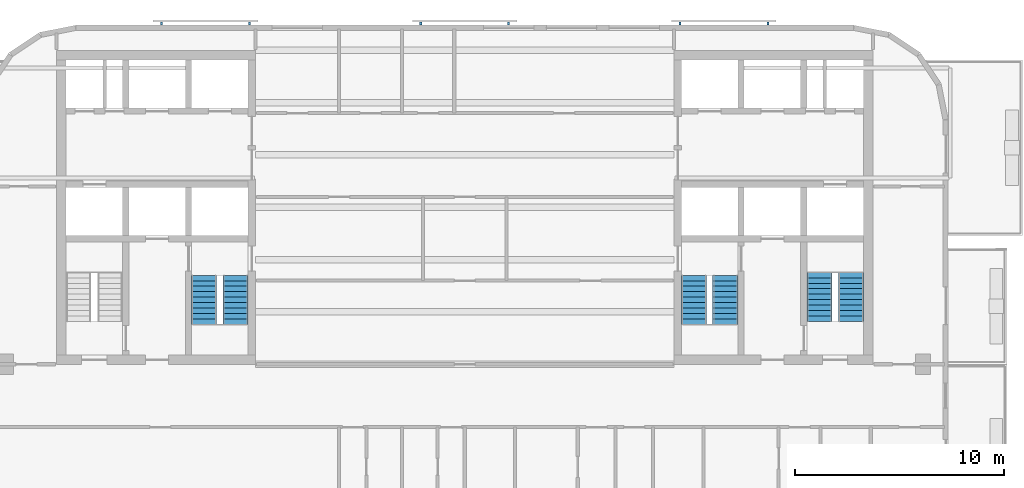
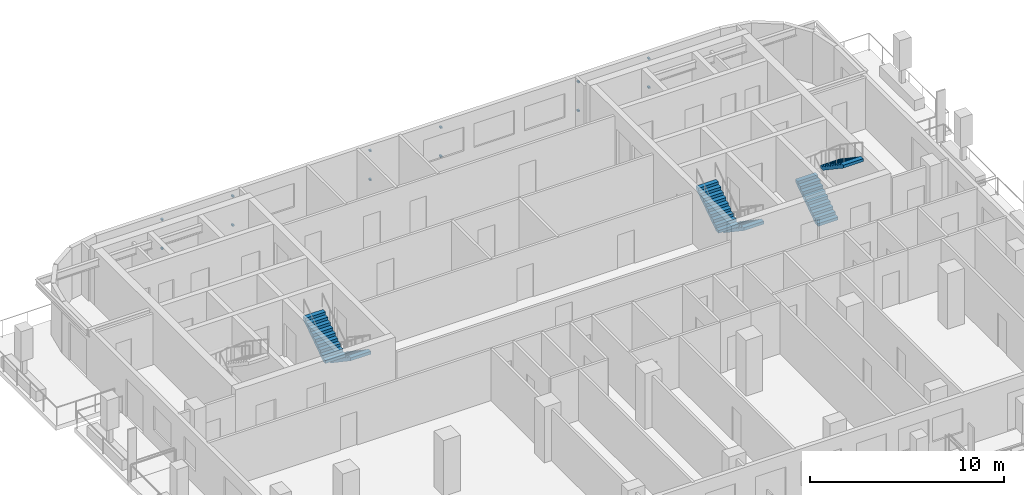
# One storey, part 7 of 10: 12 discrete accessories, 6 stair flights, 3 elements without a shape of their own.
"""IFC4 building model written with IfcOpenShell, lengths in metres."""

from ifc_helpers import new_model, si_unit, direction, frame, origin, origin_2d, place, context, subcontext, project, spatial, polyline, rectangle, outline, extrude, material, type_object, element, aggregate, save


model = new_model("IFC4")

# Units and contexts
model_context = context("Model", 3, precision=1e-05, world=origin(), true_north=direction((0.0, 1.0)))
body_context = subcontext(model_context, "Body", "Model", "MODEL_VIEW")
ifc_project = project(units=[si_unit("LENGTHUNIT", "METRE"), si_unit("AREAUNIT", "SQUARE_METRE"), si_unit("VOLUMEUNIT", "CUBIC_METRE"), si_unit("PLANEANGLEUNIT", "RADIAN"), si_unit("MASSUNIT", "GRAM", prefix="KILO")], contexts=[model_context])

# Site, building, storey
site_placement = place(None, origin())
site = spatial("IfcSite", under=ifc_project, at=site_placement, CompositionType="ELEMENT")
building_placement = place(site_placement, origin())
building = spatial("IfcBuilding", under=site, at=building_placement, Name="Torana Hotel and Residences", CompositionType="ELEMENT")
storey_placement = place(building_placement, frame((0.0, 0.0, 301.60009765625)))
storey = spatial("IfcBuildingStorey", under=building, at=storey_placement, Name="L80", CompositionType="ELEMENT", Elevation=301.60009765625)

# Stair, stair flights
ifc_material_1 = material(Name="Concrete C40/50 precast", Category="concrete")
stair_type_1 = type_object("IfcStairType", Name="STAIR ST1 HALF TURN 1200", PredefinedType="HALF_TURN_STAIR", material=ifc_material_1)
stair_1_placement = place(storey_placement, origin())
stair_1 = element("IfcStair", 1, at=stair_1_placement, inside=storey, type_object=stair_type_1, Name="Stair ST1 L80", PredefinedType="HALF_TURN_STAIR")
ifc_material_2 = material(Name="Concrete C40/50 precast", Category="concrete")
stair_flight_type = type_object("IfcStairFlightType", Name="STAIR FLIGHT 1200 PRECAST", PredefinedType="STRAIGHT", material=ifc_material_2)
stair_flight_1_placement = place(storey_placement, frame((-10.949951171875, -10.75, 0.0), z_axis=(0.0, 0.0, 1.0), x_axis=(0.0, -1.0, 0.0)))
stair_flight_1 = element("IfcStairFlight", 2, at=stair_flight_1_placement, type_object=stair_flight_type, Name="ST1 flight 1", NumberOfRisers=10, NumberOfTreads=9, PredefinedType="STRAIGHT", RiserHeight=0.175, TreadLength=0.26, context=body_context, shape_type="SweptSolid", body=[
    extrude(outline(polyline([(0.0, 0.0), (0.0, 0.175048828125), (0.260009765625, 0.175048828125), (0.260009765625, 0.35009765625), (0.52001953125, 0.35009765625), (0.52001953125, 0.52490234375), (0.780029296875, 0.52490234375), (0.780029296875, 0.699951171875), (1.0400390625, 0.699951171875), (1.0400390625, 0.875), (1.300048828125, 0.875), (1.300048828125, 1.050048828125), (1.56005859375, 1.050048828125), (1.56005859375, 1.22509765625), (1.820068359375, 1.22509765625), (1.820068359375, 1.39990234375), (2.080078125, 1.39990234375), (2.080078125, 1.574951171875), (2.340087890625, 1.574951171875), (2.340087890625, 1.75), (2.340087890625, 1.394287109375), (0.2685546875, 0.0), (0.0, 0.0)])), frame((0.0, 0.60009765625, 0.0), z_axis=(0.0, -1.0, 0.0), x_axis=(1.0, 0.0, 0.0)), (0.0, 0.0, 1.0), 1.199951171875),
])
stair_flight_2_placement = place(storey_placement, frame((-12.449951171875, -13.090087890625, 1.75), z_axis=(0.0, 0.0, 1.0), x_axis=(0.0, 1.0, 0.0)))
stair_flight_2 = element("IfcStairFlight", 3, at=stair_flight_2_placement, type_object=stair_flight_type, Name="ST1 flight 2", NumberOfRisers=10, NumberOfTreads=9, PredefinedType="STRAIGHT", RiserHeight=0.175, TreadLength=0.26, context=body_context, shape_type="SweptSolid", body=[
    extrude(outline(polyline([(0.0, 0.0), (0.0, 0.175048828125), (0.260009765625, 0.175048828125), (0.260009765625, 0.35009765625), (0.52001953125, 0.35009765625), (0.52001953125, 0.52490234375), (0.780029296875, 0.52490234375), (0.780029296875, 0.699951171875), (1.0400390625, 0.699951171875), (1.0400390625, 0.875), (1.300048828125, 0.875), (1.300048828125, 1.050048828125), (1.56005859375, 1.050048828125), (1.56005859375, 1.22509765625), (1.820068359375, 1.22509765625), (1.820068359375, 1.39990234375), (2.080078125, 1.39990234375), (2.080078125, 1.574951171875), (2.340087890625, 1.574951171875), (2.340087890625, 1.75), (2.340087890625, 1.394287109375), (0.2685546875, 0.0), (0.0, 0.0)])), frame((0.0, 0.60009765625, 0.0), z_axis=(0.0, -1.0, 0.0), x_axis=(1.0, 0.0, 0.0)), (0.0, 0.0, 1.0), 1.199951171875),
])
aggregate(stair_1, [stair_flight_1, stair_flight_2])

ifc_material_3 = material(Name="Concrete C40/50 precast", Category="concrete")
stair_type_2 = type_object("IfcStairType", Name="STAIR ST3 HALF TURN 1200", PredefinedType="HALF_TURN_STAIR", material=ifc_material_3)
stair_2_placement = place(storey_placement, origin())
stair_2 = element("IfcStair", 4, at=stair_2_placement, inside=storey, type_object=stair_type_2, Name="Stair ST3 L80", PredefinedType="HALF_TURN_STAIR")
stair_flight_3_placement = place(storey_placement, frame((12.449951171875, -10.75, 0.0), z_axis=(0.0, 0.0, 1.0), x_axis=(0.0, -1.0, 0.0)))
stair_flight_3 = element("IfcStairFlight", 5, at=stair_flight_3_placement, type_object=stair_flight_type, Name="ST3 flight 1", NumberOfRisers=10, NumberOfTreads=9, PredefinedType="STRAIGHT", RiserHeight=0.175, TreadLength=0.26, context=body_context, shape_type="SweptSolid", body=[
    extrude(outline(polyline([(0.0, 0.0), (0.0, 0.175048828125), (0.260009765625, 0.175048828125), (0.260009765625, 0.35009765625), (0.52001953125, 0.35009765625), (0.52001953125, 0.52490234375), (0.780029296875, 0.52490234375), (0.780029296875, 0.699951171875), (1.0400390625, 0.699951171875), (1.0400390625, 0.875), (1.300048828125, 0.875), (1.300048828125, 1.050048828125), (1.56005859375, 1.050048828125), (1.56005859375, 1.22509765625), (1.820068359375, 1.22509765625), (1.820068359375, 1.39990234375), (2.080078125, 1.39990234375), (2.080078125, 1.574951171875), (2.340087890625, 1.574951171875), (2.340087890625, 1.75), (2.340087890625, 1.394287109375), (0.2685546875, 0.0), (0.0, 0.0)])), frame((0.0, 0.60009765625, 0.0), z_axis=(0.0, -1.0, 0.0), x_axis=(1.0, 0.0, 0.0)), (0.0, 0.0, 1.0), 1.199951171875),
])
stair_flight_4_placement = place(storey_placement, frame((10.949951171875, -13.090087890625, 1.75), z_axis=(0.0, 0.0, 1.0), x_axis=(0.0, 1.0, 0.0)))
stair_flight_4 = element("IfcStairFlight", 6, at=stair_flight_4_placement, type_object=stair_flight_type, Name="ST3 flight 2", NumberOfRisers=10, NumberOfTreads=9, PredefinedType="STRAIGHT", RiserHeight=0.175, TreadLength=0.26, context=body_context, shape_type="SweptSolid", body=[
    extrude(outline(polyline([(0.0, 0.0), (0.0, 0.175048828125), (0.260009765625, 0.175048828125), (0.260009765625, 0.35009765625), (0.52001953125, 0.35009765625), (0.52001953125, 0.52490234375), (0.780029296875, 0.52490234375), (0.780029296875, 0.699951171875), (1.0400390625, 0.699951171875), (1.0400390625, 0.875), (1.300048828125, 0.875), (1.300048828125, 1.050048828125), (1.56005859375, 1.050048828125), (1.56005859375, 1.22509765625), (1.820068359375, 1.22509765625), (1.820068359375, 1.39990234375), (2.080078125, 1.39990234375), (2.080078125, 1.574951171875), (2.340087890625, 1.574951171875), (2.340087890625, 1.75), (2.340087890625, 1.394287109375), (0.2685546875, 0.0), (0.0, 0.0)])), frame((0.0, 0.60009765625, 0.0), z_axis=(0.0, -1.0, 0.0), x_axis=(1.0, 0.0, 0.0)), (0.0, 0.0, 1.0), 1.199951171875),
])
aggregate(stair_2, [stair_flight_3, stair_flight_4])

ifc_material_4 = material(Name="Concrete C40/50 precast", Category="concrete")
stair_type_3 = type_object("IfcStairType", Name="STAIR ST4 HALF TURN 1200", PredefinedType="HALF_TURN_STAIR", material=ifc_material_4)
stair_3_placement = place(storey_placement, origin())
stair_3 = element("IfcStair", 7, at=stair_3_placement, inside=storey, type_object=stair_type_3, Name="Stair ST4 L80", PredefinedType="HALF_TURN_STAIR")
stair_flight_5_placement = place(storey_placement, frame((16.949951171875, -12.949951171875, 0.0), z_axis=(0.0, 0.0, 1.0), x_axis=(0.0, 1.0, 0.0)))
stair_flight_5 = element("IfcStairFlight", 8, at=stair_flight_5_placement, type_object=stair_flight_type, Name="ST4 flight 1", NumberOfRisers=10, NumberOfTreads=9, PredefinedType="STRAIGHT", RiserHeight=0.175, TreadLength=0.26, context=body_context, shape_type="SweptSolid", body=[
    extrude(outline(polyline([(0.0, 0.0), (0.0, 0.175048828125), (0.260009765625, 0.175048828125), (0.260009765625, 0.35009765625), (0.52001953125, 0.35009765625), (0.52001953125, 0.52490234375), (0.780029296875, 0.52490234375), (0.780029296875, 0.699951171875), (1.0400390625, 0.699951171875), (1.0400390625, 0.875), (1.300048828125, 0.875), (1.300048828125, 1.050048828125), (1.56005859375, 1.050048828125), (1.56005859375, 1.22509765625), (1.820068359375, 1.22509765625), (1.820068359375, 1.39990234375), (2.080078125, 1.39990234375), (2.080078125, 1.574951171875), (2.340087890625, 1.574951171875), (2.340087890625, 1.75), (2.340087890625, 1.394287109375), (0.2685546875, 0.0), (0.0, 0.0)])), frame((0.0, 0.60009765625, 0.0), z_axis=(0.0, -1.0, 0.0), x_axis=(1.0, 0.0, 0.0)), (0.0, 0.0, 1.0), 1.199951171875),
])
stair_flight_6_placement = place(storey_placement, frame((18.449951171875, -10.610107421875, 1.75), z_axis=(0.0, 0.0, 1.0), x_axis=(0.0, -1.0, 0.0)))
stair_flight_6 = element("IfcStairFlight", 9, at=stair_flight_6_placement, type_object=stair_flight_type, Name="ST4 flight 2", NumberOfRisers=10, NumberOfTreads=9, PredefinedType="STRAIGHT", RiserHeight=0.175, TreadLength=0.26, context=body_context, shape_type="SweptSolid", body=[
    extrude(outline(polyline([(0.0, 0.0), (0.0, 0.175048828125), (0.260009765625, 0.175048828125), (0.260009765625, 0.35009765625), (0.52001953125, 0.35009765625), (0.52001953125, 0.52490234375), (0.780029296875, 0.52490234375), (0.780029296875, 0.699951171875), (1.0400390625, 0.699951171875), (1.0400390625, 0.875), (1.300048828125, 0.875), (1.300048828125, 1.050048828125), (1.56005859375, 1.050048828125), (1.56005859375, 1.22509765625), (1.820068359375, 1.22509765625), (1.820068359375, 1.39990234375), (2.080078125, 1.39990234375), (2.080078125, 1.574951171875), (2.340087890625, 1.574951171875), (2.340087890625, 1.75), (2.340087890625, 1.394287109375), (0.2685546875, 0.0), (0.0, 0.0)])), frame((0.0, 0.60009765625, 0.0), z_axis=(0.0, -1.0, 0.0), x_axis=(1.0, 0.0, 0.0)), (0.0, 0.0, 1.0), 1.199951171875),
])
aggregate(stair_3, [stair_flight_5, stair_flight_6])

# Discrete accessories
ifc_material_5 = material(Name="Steel S355", Category="steel")
discrete_accessory_type = type_object("IfcDiscreteAccessoryType", Name="SCREEN BRACKET 100", PredefinedType="BRACKET", material=ifc_material_5)
for number, where, z_axis, x_axis, name in (
    (10, (14.483642578125, 1.27490234375, 0.749755859375), (0.0, 0.0, 1.0), (-1.0, 0.0, 0.0), "Screen bracket L80"),
    (11, (14.483642578125, 1.27490234375, 2.56982421875), (0.0, 0.0, 1.0), (-1.0, 0.0, 0.0), "Screen bracket L80"),
    (12, (10.28369140625, 1.27490234375, 0.749755859375), (0.0, 0.0, 1.0), (-1.0, 0.0, 0.0), "Screen bracket L80"),
    (13, (10.28369140625, 1.27490234375, 2.56982421875), (0.0, 0.0, 1.0), (-1.0, 0.0, 0.0), "Screen bracket L80"),
    (14, (2.10009765625, 1.27490234375, 0.749755859375), (0.0, 0.0, 1.0), (-1.0, 0.0, 0.0), "Screen bracket L80"),
    (15, (2.10009765625, 1.27490234375, 2.56982421875), (0.0, 0.0, 1.0), (-1.0, 0.0, 0.0), "Screen bracket L80"),
    (16, (-2.10009765625, 1.27490234375, 0.749755859375), (0.0, 0.0, 1.0), (-1.0, 0.0, 0.0), "Screen bracket L80"),
    (17, (-2.10009765625, 1.27490234375, 2.56982421875), (0.0, 0.0, 1.0), (-1.0, 0.0, 0.0), "Screen bracket L80"),
    (18, (-10.28369140625, 1.27490234375, 0.749755859375), (0.0, 0.0, 1.0), (-1.0, 0.0, 0.0), "Screen bracket L80"),
    (19, (-10.28369140625, 1.27490234375, 2.56982421875), (0.0, 0.0, 1.0), (-1.0, 0.0, 0.0), "Screen bracket L80"),
    (20, (-14.483642578125, 1.27490234375, 0.749755859375), (0.0, 0.0, 1.0), (-1.0, 0.0, 0.0), "Screen bracket L80"),
    (21, (-14.483642578125, 1.27490234375, 2.56982421875), (0.0, 0.0, 1.0), (-1.0, 0.0, 0.0), "Screen bracket L80"),
):
    element("IfcDiscreteAccessory", number, at=place(storey_placement, frame(where, z_axis=z_axis, x_axis=x_axis)), inside=storey, type_object=discrete_accessory_type, Name=name, PredefinedType="BRACKET", context=body_context, shape_type="SweptSolid", body=[
        extrude(rectangle(XDim=0.10009765625, YDim=0.14990234375, at=origin_2d()), origin(), (0.0, 0.0, 1.0), 0.10009765625),
    ])

save(model, "model.ifc")
